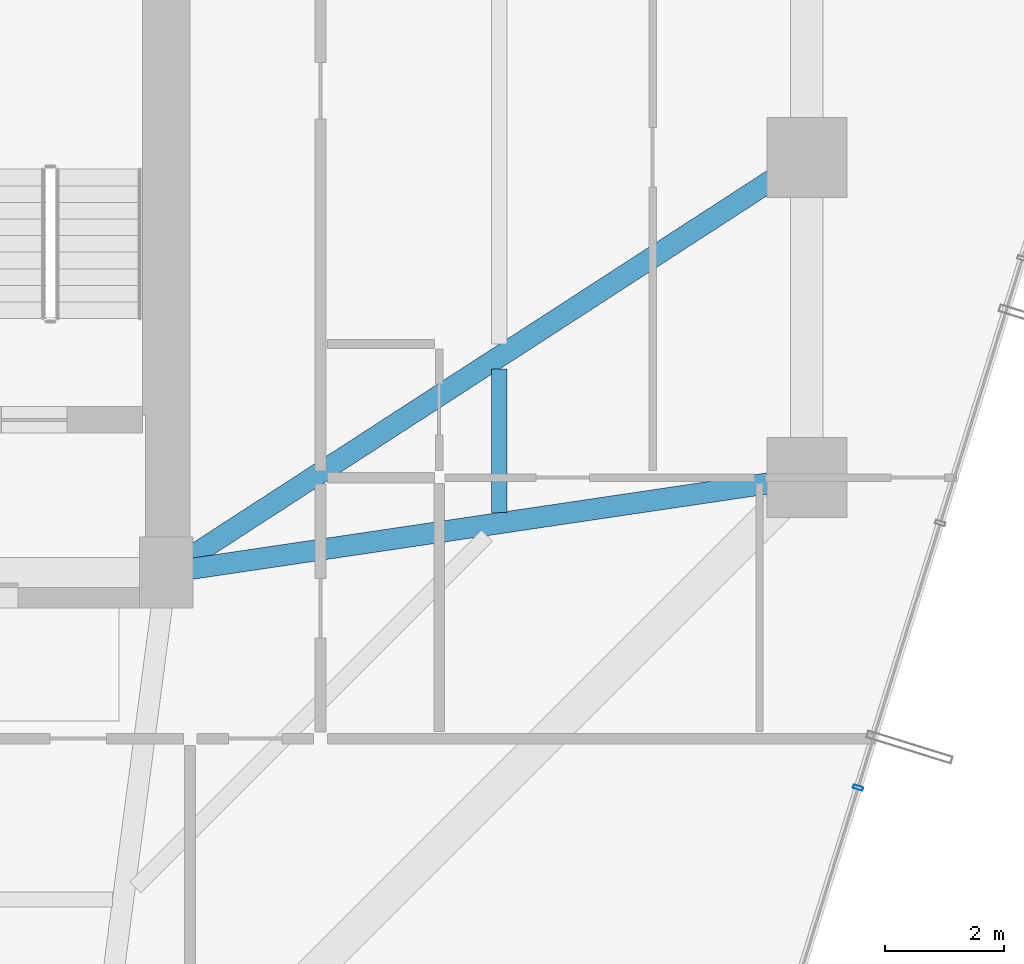
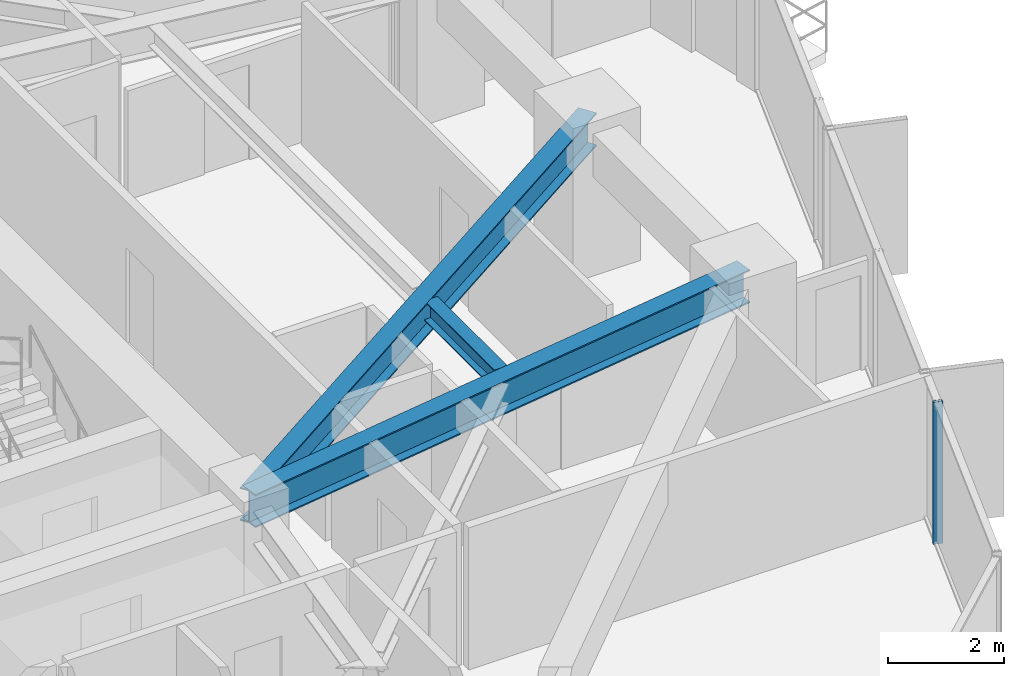
# One storey, part 16 of 39: 3 beams, 1 member, 1 element without a shape of its own.
"""IFC4 building model written with IfcOpenShell, lengths in metres."""

import ifcopenshell
import ifcopenshell.guid

model = None  # the IFC model being written
_history = None  # IfcOwnerHistory: only IFC2X3 demands one
_inside = {}  # id of a spatial element -> (the spatial element, [elements in it])
_under = {}  # id of a project, library or spatial element -> (it, [spatial elements below it])
_declared = {}  # id of a project -> (the project, [libraries it declares])
_typed = {}  # id of a type object -> (the type object, [elements of that type])
_made_of = {}  # id of a material, layer set ... -> (it, [elements and type objects made of it])


def new_model(schema):
    """Start an empty IFC model of exactly this schema.

    Asked for "IFC4X3", IfcOpenShell would pick the latest addendum, in which some entities
    have other attributes; the version numbers below select the first issue.
    IFC2X3 requires an IfcOwnerHistory on every rooted entity: one is made here for all.
    """
    global model, _history
    if schema == "IFC4X3":
        model = ifcopenshell.file(schema_version=(4, 3, 0, 0))
    else:
        model = ifcopenshell.file(schema=schema)
    _inside.clear()
    _under.clear()
    _declared.clear()
    _typed.clear()
    _made_of.clear()
    _history = None
    if model.schema == "IFC2X3":
        org = make("IfcOrganization", Name="unknown")
        user = make(
            "IfcPersonAndOrganization",
            ThePerson=make("IfcPerson", FamilyName="unknown"),
            TheOrganization=org,
        )
        app = make(
            "IfcApplication",
            ApplicationDeveloper=org,
            Version="unknown",
            ApplicationFullName="unknown",
            ApplicationIdentifier="unknown",
        )
        _history = make(
            "IfcOwnerHistory",
            OwningUser=user,
            OwningApplication=app,
            ChangeAction="ADDED",
            CreationDate=0,
        )
    return model


def make(cls, **values):
    """One entity of the class cls with the attributes given. An attribute that is None is left unset."""
    return model.create_entity(
        cls, **{name: value for name, value in values.items() if value is not None}
    )


def rooted(cls, **values):
    """An entity with a GlobalId (a new one), such as an element, a storey or a relation."""
    return make(cls, GlobalId=ifcopenshell.guid.new(), OwnerHistory=_history, **values)


def si_unit(unit_type, name, prefix=None):
    """IfcSIUnit, for example si_unit("LENGTHUNIT", "METRE", prefix="MILLI")."""
    return make("IfcSIUnit", UnitType=unit_type, Prefix=prefix, Name=name)


def assignment(units):
    """IfcUnitAssignment: the units of a project."""
    return None if units is None else make("IfcUnitAssignment", Units=units)


def point(xyz):
    """IfcCartesianPoint."""
    return None if xyz is None else make("IfcCartesianPoint", Coordinates=xyz)


def direction(xyz):
    """IfcDirection."""
    return None if xyz is None else make("IfcDirection", DirectionRatios=xyz)


def frame(location, z_axis=None, x_axis=None):
    """IfcAxis2Placement3D, a coordinate frame: its origin and axes. An axis left out is left unset."""
    return make(
        "IfcAxis2Placement3D",
        Location=point(location),
        Axis=direction(z_axis),
        RefDirection=direction(x_axis),
    )


def frame_2d(location, x_axis=None):
    """IfcAxis2Placement2D, a coordinate frame in the plane: its origin and x axis."""
    return make(
        "IfcAxis2Placement2D", Location=point(location), RefDirection=direction(x_axis)
    )


def origin():
    """The frame at (0, 0, 0) with its axes left unset."""
    return frame((0.0, 0.0, 0.0))


def origin_2d():
    """The frame at (0, 0) in the plane with its x axis left unset."""
    return frame_2d((0.0, 0.0))


def place(relative_to, where):
    """IfcLocalPlacement: puts the frame where relative to a parent placement (None: the world)."""
    return make(
        "IfcLocalPlacement", PlacementRelTo=relative_to, RelativePlacement=where
    )


def context(
    kind, dimensions, precision=None, world=None, true_north=None, identifier=None
):
    """IfcGeometricRepresentationContext, for example the 3D "Model" context."""
    return make(
        "IfcGeometricRepresentationContext",
        ContextIdentifier=identifier,
        ContextType=kind,
        CoordinateSpaceDimension=dimensions,
        Precision=precision,
        WorldCoordinateSystem=world,
        TrueNorth=true_north,
    )


def subcontext(parent, identifier, kind, view, scale=None):
    """IfcGeometricRepresentationSubContext, for example "Body" below "Model"."""
    return make(
        "IfcGeometricRepresentationSubContext",
        ContextIdentifier=identifier,
        ContextType=kind,
        ParentContext=parent,
        TargetScale=scale,
        TargetView=view,
    )


def project(units=None, contexts=None):
    """IfcProject with its units and contexts."""
    return rooted(
        "IfcProject",
        Name="project",
        RepresentationContexts=contexts,
        UnitsInContext=assignment(units),
    )


def spatial(cls, under=None, at=None, **own):
    """A site, building, storey or space (cls), placed at a placement, below another one or the project."""
    s = rooted(cls, ObjectPlacement=at, **own)
    if under is not None:
        _under.setdefault(under.id(), (under, []))[1].append(s)
    return s


def profile(cls, at=None, kind="AREA", **sizes):
    """A parametric profile (cls). Its sizes go by their IFC names, for example OverallWidth=200.0."""
    return make(cls, ProfileType=kind, Position=at, **sizes)


def hollow_rectangle(**sizes):
    """IfcRectangleHollowProfileDef."""
    return profile("IfcRectangleHollowProfileDef", **sizes)


def i_section(**sizes):
    """IfcIShapeProfileDef."""
    return profile("IfcIShapeProfileDef", **sizes)


def extrude(swept, where, along, depth):
    """IfcExtrudedAreaSolid: the profile swept, set in the frame where, extruded along a direction by depth."""
    return make(
        "IfcExtrudedAreaSolid",
        SweptArea=swept,
        Position=where,
        ExtrudedDirection=direction(along),
        Depth=depth,
    )


def shape(context_of_items, identifier, shape_type, items):
    """IfcShapeRepresentation: the items that make up one representation, for example the "Body"."""
    return make(
        "IfcShapeRepresentation",
        ContextOfItems=context_of_items,
        RepresentationIdentifier=identifier,
        RepresentationType=shape_type,
        Items=items,
    )


def source(mapping_origin, context_of_items, identifier, shape_type, items):
    """IfcRepresentationMap: a shape defined once, which mapped items show again and again."""
    return make(
        "IfcRepresentationMap",
        MappingOrigin=mapping_origin,
        MappedRepresentation=shape(context_of_items, identifier, shape_type, items),
    )


def transform(
    local_origin,
    x_axis=None,
    y_axis=None,
    z_axis=None,
    scale=None,
    scale2=None,
    scale3=None,
    uniform=True,
):
    """IfcCartesianTransformationOperator3D, or its non-uniform kind. x_axis, y_axis, z_axis: its Axis1, 2, 3."""
    if uniform:
        return make(
            "IfcCartesianTransformationOperator3D",
            Axis1=direction(x_axis),
            Axis2=direction(y_axis),
            LocalOrigin=point(local_origin),
            Scale=scale,
            Axis3=direction(z_axis),
        )
    return make(
        "IfcCartesianTransformationOperator3DnonUniform",
        Axis1=direction(x_axis),
        Axis2=direction(y_axis),
        LocalOrigin=point(local_origin),
        Scale=scale,
        Axis3=direction(z_axis),
        Scale2=scale2,
        Scale3=scale3,
    )


def mapped(mapping_source, mapping_target):
    """IfcMappedItem: shows the shape of a source again, moved by a transform."""
    return make(
        "IfcMappedItem", MappingSource=mapping_source, MappingTarget=mapping_target
    )


def material(Name=None, Category=None):
    """IfcMaterial."""
    return make("IfcMaterial", Name=Name, Category=Category)


def layer(
    of_material, thickness, ventilated=None, Name=None, Category=None, Priority=None
):
    """IfcMaterialLayer: one layer of a wall or slab, of a material (None: an air gap)."""
    return make(
        "IfcMaterialLayer",
        Material=of_material,
        LayerThickness=thickness,
        IsVentilated=ventilated,
        Name=Name,
        Category=Category,
        Priority=Priority,
    )


def layer_set(layers, Name=None):
    """IfcMaterialLayerSet."""
    return make("IfcMaterialLayerSet", MaterialLayers=layers, LayerSetName=Name)


def material_profile(
    of_material, cross_section, Name=None, Category=None, Priority=None
):
    """IfcMaterialProfile: a cross section and its material."""
    return make(
        "IfcMaterialProfile",
        Name=Name,
        Material=of_material,
        Profile=cross_section,
        Priority=Priority,
        Category=Category,
    )


def profile_set(profiles, Name=None, composite=None):
    """IfcMaterialProfileSet."""
    return make(
        "IfcMaterialProfileSet",
        Name=Name,
        MaterialProfiles=profiles,
        CompositeProfile=composite,
    )


def made_of(thing, what):
    """Note that an element or type object is made of a material, layer set ...; save() writes the relation."""
    if what is not None:
        _made_of.setdefault(what.id(), (what, []))[1].append(thing)
    return thing


def type_object(cls, material=None, **own):
    """A type object (cls), such as IfcWallType, which elements share."""
    return made_of(rooted(cls, **own), material)


def element(
    cls,
    number,
    at=None,
    inside=None,
    cuts=None,
    type_object=None,
    material=None,
    context=None,
    identifier="Body",
    shape_type=None,
    held_by="IfcProductDefinitionShape",
    body=None,
    shapes=None,
    **own,
):
    """One element of the class cls, such as IfcWall. Its Tag is "e" and its number.

    at: its placement. inside: the storey or other place that contains it. cuts: it is an
    opening in that element (IfcRelVoidsElement). A single representation is given by context,
    identifier, shape_type and body (its items); several are given by shapes. held_by: the class
    of the entity that holds the representations. save() writes the other relations.
    """
    e = rooted(cls, Tag="e%d" % number, ObjectPlacement=at, **own)
    if body is not None:
        shapes = [shape(context, identifier, shape_type, body)]
    if shapes is not None:
        e.Representation = make(held_by, Representations=shapes)
    if inside is not None:
        _inside.setdefault(inside.id(), (inside, []))[1].append(e)
    if cuts is not None:
        rooted(
            "IfcRelVoidsElement", RelatingBuildingElement=cuts, RelatedOpeningElement=e
        )
    if type_object is not None:
        _typed.setdefault(type_object.id(), (type_object, []))[1].append(e)
    return made_of(e, material)


def aggregate(whole, parts):
    """IfcRelAggregates: a whole, such as a stair, and the parts it consists of."""
    return rooted("IfcRelAggregates", RelatingObject=whole, RelatedObjects=parts)


def save(model, path):
    """Write the relations noted so far, then the file.

    IfcRelAggregates (storeys below a building ...), IfcRelContainedInSpatialStructure (elements
    in a storey), IfcRelDefinesByType, IfcRelAssociatesMaterial and IfcRelDeclares: one each for
    every whole, place, type object, material and project.
    """
    for whole, parts in _under.values():
        aggregate(whole, parts)
    for where, things in _inside.values():
        rooted(
            "IfcRelContainedInSpatialStructure",
            RelatedElements=things,
            RelatingStructure=where,
        )
    for kind, things in _typed.values():
        rooted("IfcRelDefinesByType", RelatedObjects=things, RelatingType=kind)
    for what, things in _made_of.values():
        rooted("IfcRelAssociatesMaterial", RelatedObjects=things, RelatingMaterial=what)
    for by, libraries in _declared.values():
        rooted("IfcRelDeclares", RelatingContext=by, RelatedDefinitions=libraries)
    model.write(path)


model = new_model("IFC4")

# Units and contexts
model_context = context("Model", 3, precision=1e-05, world=origin(), true_north=direction((0.0, 1.0)))
body_context = subcontext(model_context, "Body", "Model", "MODEL_VIEW")
ifc_project = project(units=[si_unit("LENGTHUNIT", "METRE"), si_unit("AREAUNIT", "SQUARE_METRE"), si_unit("VOLUMEUNIT", "CUBIC_METRE"), si_unit("PLANEANGLEUNIT", "RADIAN"), si_unit("MASSUNIT", "GRAM", prefix="KILO")], contexts=[model_context])

# Site, building, storey
site_placement = place(None, origin())
site = spatial("IfcSite", under=ifc_project, at=site_placement, CompositionType="ELEMENT")
building_placement = place(site_placement, origin())
building = spatial("IfcBuilding", under=site, at=building_placement, Name="Veraguas Prism Commons", CompositionType="ELEMENT")
storey_placement = place(building_placement, frame((0.0, 0.0, 67.35009765625)))
storey = spatial("IfcBuildingStorey", under=building, at=storey_placement, Name="L18", CompositionType="ELEMENT", Elevation=67.35009765625)

# Beams
ifc_material_1 = material(Name="Steel ASTM A992 Grade 50", Category="steel")
ifc_material_profile_1 = material_profile(ifc_material_1, i_section(OverallWidth=0.260986328125, OverallDepth=0.419921875, WebThickness=0.01171875, FlangeThickness=0.019287109375, at=origin_2d()), Name="W410X114")
ifc_profile_set_1 = profile_set([ifc_material_profile_1], Name="Steel ASTM A992 Grade 50")
beam_type_1 = type_object("IfcBeamType", Name="Lower Floor Joist W410x114", PredefinedType="JOIST", material=ifc_profile_set_1)
beam_1_placement = place(storey_placement, frame((36.416015625, 18.010009765625, 2.789794921875), z_axis=(0.0, 1.0, 0.0), x_axis=(-1.0, 0.0, 0.0)))
element("IfcBeam", 1, at=beam_1_placement, inside=storey, type_object=beam_type_1, Name="Composite Floor Joist L18-JS01", PredefinedType="JOIST", context=body_context, shape_type="SweptSolid", body=[
    extrude(i_section(OverallWidth=0.260986328125, OverallDepth=0.419921875, WebThickness=0.01171875, FlangeThickness=0.019287109375, at=origin_2d()), origin(), (0.0, 0.0, 1.0), 2.42041015625),
])
ifc_material_profile_2 = material_profile(ifc_material_1, i_section(OverallWidth=0.35595703125, OverallDepth=0.700927734375, WebThickness=0.016845703125, FlangeThickness=0.02734375, at=origin_2d()), Name="W690X240")
ifc_profile_set_2 = profile_set([ifc_material_profile_2], Name="Steel ASTM A992 Grade 50")
beam_type_2 = type_object("IfcBeamType", Name="Zone 1 Radial Girder W690x240", PredefinedType="BEAM", material=ifc_profile_set_2)
beam_2_placement = place(storey_placement, frame((41.60009765625, 18.60009765625, 2.6494140625), z_axis=(-0.989202261707, -0.146556765224, 0.0), x_axis=(0.146556765224, -0.989202261707, 0.0)))
element("IfcBeam", 2, at=beam_2_placement, inside=storey, type_object=beam_type_2, Name="Radial Floor Girder L18-RD01", PredefinedType="BEAM", context=body_context, shape_type="SweptSolid", body=[
    extrude(i_section(OverallWidth=0.35595703125, OverallDepth=0.700927734375, WebThickness=0.016845703125, FlangeThickness=0.02734375, at=origin_2d()), origin(), (0.0, 0.0, 1.0), 10.91796875),
])
beam_3_placement = place(storey_placement, frame((41.60009765625, 24.0, 2.6494140625), z_axis=(-0.839154108875, -0.543893722668, 0.0), x_axis=(0.543893722668, -0.839154108875, 0.0)))
element("IfcBeam", 3, at=beam_3_placement, inside=storey, type_object=beam_type_2, Name="Radial Floor Girder L18-RD02", PredefinedType="BEAM", context=body_context, shape_type="SweptSolid", body=[
    extrude(i_section(OverallWidth=0.35595703125, OverallDepth=0.700927734375, WebThickness=0.016845703125, FlangeThickness=0.02734375, at=origin_2d()), origin(), (0.0, 0.0, 1.0), 12.8701171875),
])

# Curtain wall, member
ifc_material_2 = material(Name="Anodised aluminium EN AW-6063 T6", Category="aluminium")
ifc_layer = layer(ifc_material_2, 0.169921875, Name="Unitised Flush Curtain Wall Zone 1", Category="aluminium")
ifc_layer_set = layer_set([ifc_layer], Name="Anodised aluminium EN AW-6063 T6")
curtain_wall_type = type_object("IfcCurtainWallType", Name="Unitised Flush Curtain Wall Zone 1", PredefinedType="NOTDEFINED", material=ifc_layer_set)
curtain_wall_placement = place(storey_placement, origin())
curtain_wall = element("IfcCurtainWall", 4, at=curtain_wall_placement, inside=storey, type_object=curtain_wall_type, Name="Tower Facade Curtain Wall L18-F6", PredefinedType="NOTDEFINED")
ifc_material_profile_3 = material_profile(ifc_material_2, hollow_rectangle(XDim=0.06005859375, YDim=0.169921875, WallThickness=0.00390625, at=origin_2d()), Name="AL60X170X4")
ifc_profile_set_3 = profile_set([ifc_material_profile_3], Name="Anodised aluminium EN AW-6063 T6")
member_type = type_object("IfcMemberType", Name="Curtain Wall Mullion Lower AL 60x170x4", PredefinedType="MULLION", material=ifc_profile_set_3)
shared_shape = source(origin(), body_context, "Body", "SweptSolid", [
    extrude(hollow_rectangle(XDim=0.06005859375, YDim=0.169921875, WallThickness=0.00390625, at=origin_2d()), origin(), (0.0, 0.0, 1.0), 3.0),
])
member_placement = place(storey_placement, frame((42.462646484375, 13.372314453125, 0.0), z_axis=(0.0, 0.0, 1.0), x_axis=(0.296709919616, 0.954967655788, 0.0)))
member = element("IfcMember", 5, at=member_placement, type_object=member_type, Name="CW-Z1 Mullion 2", PredefinedType="MULLION", context=body_context, shape_type="MappedRepresentation", body=[
    mapped(shared_shape, transform((0.0, 0.0, 0.0), scale=1.0)),
])
aggregate(curtain_wall, [member])

save(model, "model.ifc")
